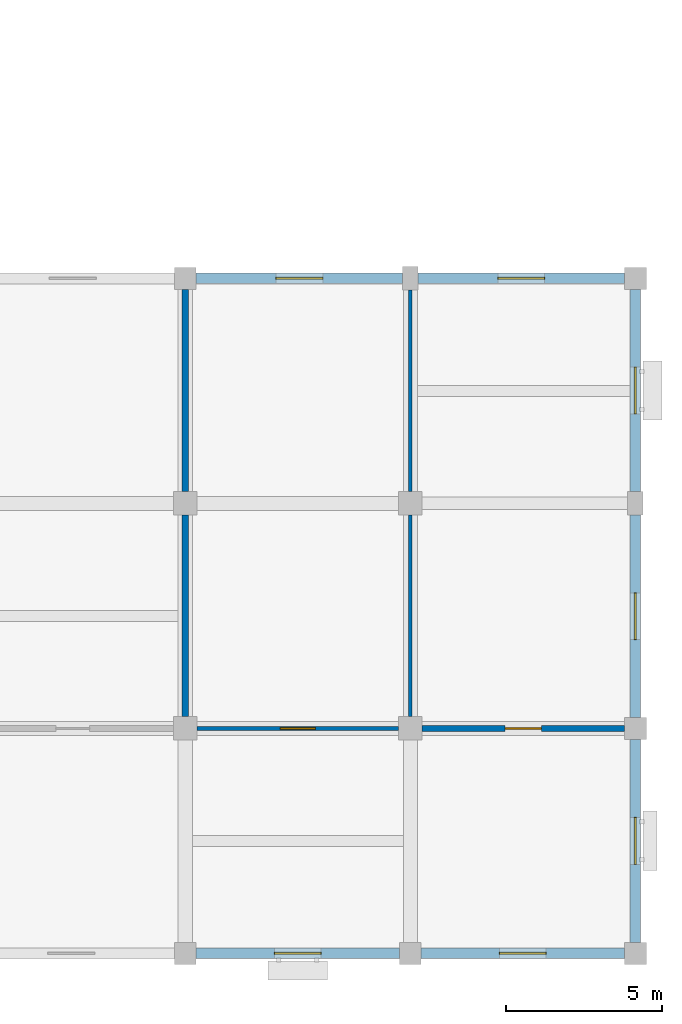
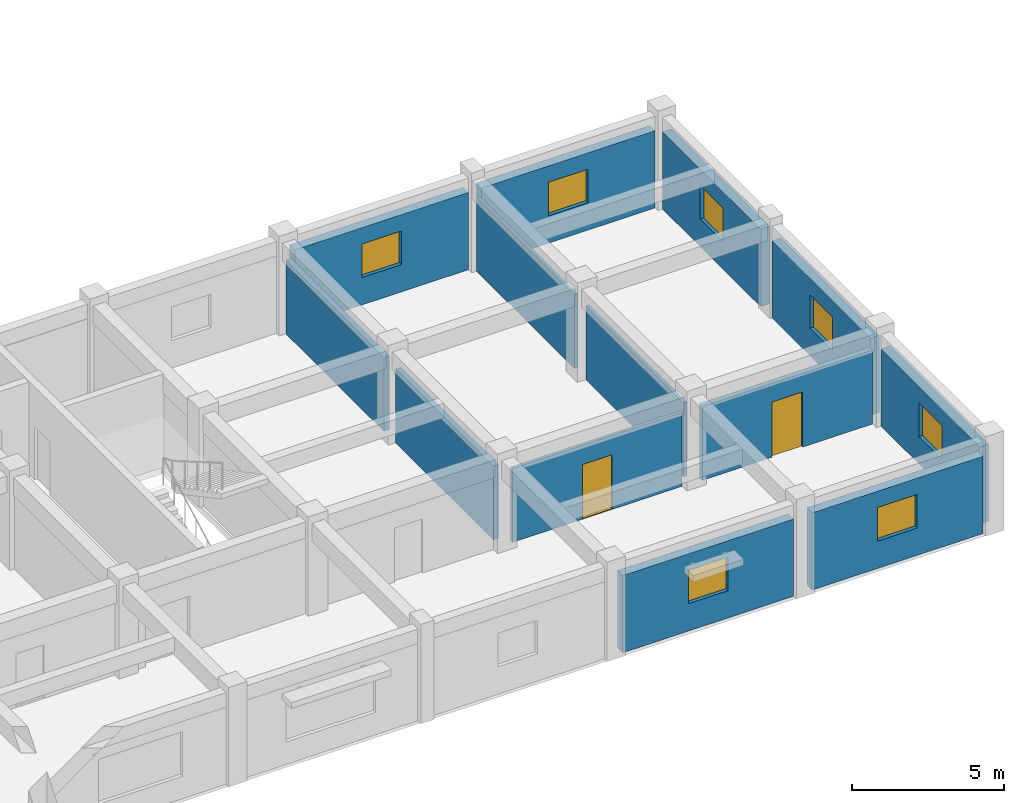
# One storey, part 18 of 25: 13 walls, 7 windows, 2 doors, 9 openings.
"""IFC4 building model written with IfcOpenShell, lengths in metres."""

from ifc_helpers import new_model, si_unit, direction, frame, frame_2d, origin, place, context, subcontext, project, spatial, rectangle, extrude, material, layer, layer_set, type_object, element, fill, save


model = new_model("IFC4")

# Units and contexts
model_context = context("Model", 3, precision=1e-05, world=origin(), true_north=direction((0.0, 1.0)))
body_context = subcontext(model_context, "Body", "Model", "MODEL_VIEW")
ifc_project = project(units=[si_unit("LENGTHUNIT", "METRE"), si_unit("AREAUNIT", "SQUARE_METRE"), si_unit("VOLUMEUNIT", "CUBIC_METRE"), si_unit("PLANEANGLEUNIT", "RADIAN"), si_unit("MASSUNIT", "GRAM", prefix="KILO")], contexts=[model_context])

# Site, building, storey
site_placement = place(None, origin())
site = spatial("IfcSite", under=ifc_project, at=site_placement, CompositionType="ELEMENT")
building_placement = place(site_placement, origin())
building = spatial("IfcBuilding", under=site, at=building_placement, Name="Cendaluz Park School", CompositionType="ELEMENT")
storey_placement = place(building_placement, frame((0.0, 0.0, 18.60009765625)))
storey = spatial("IfcBuildingStorey", under=building, at=storey_placement, Name="L04", CompositionType="ELEMENT", Elevation=18.60009765625)

# Walls
ifc_material_1 = material(Name="Gypsum Plasterboard on Cold-Formed Stud", Category="gypsum")
ifc_layer_1 = layer(ifc_material_1, 0.199951171875)
ifc_layer_set_1 = layer_set([ifc_layer_1], Name="Gypsum Plasterboard on Cold-Formed Stud")
wall_type_1 = type_object("IfcWallType", Name="W-AC20", PredefinedType="PARTITIONING", material=ifc_layer_set_1)
wall_1_placement = place(storey_placement, frame((144.0, 14.77490234375, 0.0), z_axis=(0.0, 0.0, 1.0), x_axis=(0.0, 1.0, 0.0)))
element("IfcWall", 1, at=wall_1_placement, inside=storey, type_object=wall_type_1, Name="WL-FE-BO6", PredefinedType="PARTITIONING", context=body_context, shape_type="SweptSolid", body=[
    extrude(rectangle(XDim=6.4501953125, YDim=0.199951171875, at=frame_2d((3.22509765625, 0.0))), origin(), (0.0, 0.0, 1.0), 2.969970703125),
])
wall_2_placement = place(storey_placement, frame((144.0, 21.97509765625, 0.0), z_axis=(0.0, 0.0, 1.0), x_axis=(0.0, 1.0, 0.0)))
element("IfcWall", 2, at=wall_2_placement, inside=storey, type_object=wall_type_1, Name="WL-FE-BO7", PredefinedType="PARTITIONING", context=body_context, shape_type="SweptSolid", body=[
    extrude(rectangle(XDim=6.474853515625, YDim=0.199951171875, at=frame_2d((3.2373046875, 0.0))), origin(), (0.0, 0.0, 1.0), 2.969970703125),
])

# Wall, opening, door
wall_3_placement = place(storey_placement, frame((151.574951171875, 14.39990234375, 0.0), z_axis=(0.0, 0.0, 1.0), x_axis=(1.0, 0.0, 0.0)))
wall_3 = element("IfcWall", 3, at=wall_3_placement, inside=storey, type_object=wall_type_1, Name="WL-FE-BP1", PredefinedType="PARTITIONING", context=body_context, shape_type="SweptSolid", body=[
    extrude(rectangle(XDim=6.47509765625, YDim=0.199951171875, at=frame_2d((3.237548828125, 0.0))), origin(), (0.0, 0.0, 1.0), 2.969970703125),
])
opening_1_placement = place(wall_3_placement, frame((2.657470703125, 0.0, 0.0)))
opening_1 = element("IfcOpeningElement", 4, at=opening_1_placement, cuts=wall_3, Name="Opening DCL-07", PredefinedType="OPENING", context=body_context, shape_type="SweptSolid", body=[
    extrude(rectangle(XDim=1.159912109375, YDim=2.219970703125, at=frame_2d((0.580078125, 1.10986328125))), frame((0.0, 0.112060546875, 0.0), z_axis=(0.0, -1.0, 0.0), x_axis=(1.0, 0.0, 0.0)), (0.0, 0.0, 1.0), 0.223876953125),
])
ifc_material_2 = material(Name="Solid Core Hardwood", Category="wood")
door_type_1 = type_object("IfcDoorType", Name="DCL-07", OperationType="NOTDEFINED", PredefinedType="DOOR", material=ifc_material_2)
door_1_placement = place(opening_1_placement, origin())
door_1 = element("IfcDoor", 5, at=door_1_placement, inside=storey, type_object=door_type_1, Name="D-L04-038", OperationType="SINGLE_SWING_RIGHT", OverallHeight=2.219970703125, OverallWidth=1.159912109375, PredefinedType="DOOR", context=body_context, shape_type="SweptSolid", body=[
    extrude(rectangle(XDim=1.159912109375, YDim=2.219970703125, at=frame_2d((0.580078125, 1.10986328125))), frame((0.0, 0.02490234375, 0.0), z_axis=(0.0, -1.0, 0.0), x_axis=(1.0, 0.0, 0.0)), (0.0, 0.0, 1.0), 0.050048828125),
])
fill(opening_1, door_1)

# Wall, opening, window
ifc_material_3 = material(Name="Concrete C40/50 precast", Category="concrete")
ifc_layer_2 = layer(ifc_material_3, 0.340087890625)
ifc_layer_set_2 = layer_set([ifc_layer_2], Name="Concrete C40/50 precast")
wall_type_2 = type_object("IfcWallType", Name="W-EX34", PredefinedType="SOLIDWALL", material=ifc_layer_set_2)
wall_4_placement = place(storey_placement, frame((144.35009765625, 7.199951171875, 0.0), z_axis=(0.0, 0.0, 1.0), x_axis=(1.0, 0.0, 0.0)))
wall_4 = element("IfcWall", 6, at=wall_4_placement, inside=storey, type_object=wall_type_2, Name="WL-FE-AC3", PredefinedType="SOLIDWALL", context=body_context, shape_type="SweptSolid", body=[
    extrude(rectangle(XDim=6.5, YDim=0.340087890625, at=frame_2d((3.25, 0.0))), origin(), (0.0, 0.0, 1.0), 3.10986328125),
])
opening_2_placement = place(wall_4_placement, frame((2.5, 0.0, 1.10009765625)))
opening_2 = element("IfcOpeningElement", 7, at=opening_2_placement, cuts=wall_4, Name="Opening WN-20", PredefinedType="OPENING", context=body_context, shape_type="SweptSolid", body=[
    extrude(rectangle(XDim=1.5, YDim=1.35009765625, at=frame_2d((0.75, 0.675048828125))), frame((0.0, 0.18212890625, 0.0), z_axis=(0.0, -1.0, 0.0), x_axis=(1.0, 0.0, 0.0)), (0.0, 0.0, 1.0), 0.364013671875),
])
ifc_material_4 = material(Name="Tempered Low-E Double Glazing", Category="glass")
window_type = type_object("IfcWindowType", Name="WN-20", PartitioningType="SINGLE_PANEL", PredefinedType="WINDOW", material=ifc_material_4)
window_1_placement = place(opening_2_placement, origin())
window_1 = element("IfcWindow", 8, at=window_1_placement, inside=storey, type_object=window_type, Name="WN-L04-024", OverallHeight=1.35009765625, OverallWidth=1.5, PartitioningType="SINGLE_PANEL", PredefinedType="WINDOW", context=body_context, shape_type="SweptSolid", body=[
    extrude(rectangle(XDim=1.5, YDim=1.35009765625, at=frame_2d((0.75, 0.675048828125))), frame((0.0, 0.030029296875, 0.0), z_axis=(0.0, -1.0, 0.0), x_axis=(1.0, 0.0, 0.0)), (0.0, 0.0, 1.0), 0.06005859375),
])
fill(opening_2, window_1)

wall_5_placement = place(storey_placement, frame((144.35009765625, 28.800048828125, 0.0), z_axis=(0.0, 0.0, 1.0), x_axis=(1.0, 0.0, 0.0)))
wall_5 = element("IfcWall", 9, at=wall_5_placement, inside=storey, type_object=wall_type_2, Name="WL-FE-AC4", PredefinedType="SOLIDWALL", context=body_context, shape_type="SweptSolid", body=[
    extrude(rectangle(XDim=6.599853515625, YDim=0.340087890625, at=frame_2d((3.2998046875, 0.0))), origin(), (0.0, 0.0, 1.0), 3.10986328125),
])
opening_3_placement = place(wall_5_placement, frame((2.550048828125, 0.0, 1.10009765625)))
opening_3 = element("IfcOpeningElement", 10, at=opening_3_placement, cuts=wall_5, Name="Opening WN-20", PredefinedType="OPENING", context=body_context, shape_type="SweptSolid", body=[
    extrude(rectangle(XDim=1.5, YDim=1.35009765625, at=frame_2d((0.75, 0.675048828125))), frame((0.0, 0.18212890625, 0.0), z_axis=(0.0, -1.0, 0.0), x_axis=(1.0, 0.0, 0.0)), (0.0, 0.0, 1.0), 0.364013671875),
])
window_2_placement = place(opening_3_placement, origin())
window_2 = element("IfcWindow", 11, at=window_2_placement, inside=storey, type_object=window_type, Name="WN-L04-025", OverallHeight=1.35009765625, OverallWidth=1.5, PartitioningType="SINGLE_PANEL", PredefinedType="WINDOW", context=body_context, shape_type="SweptSolid", body=[
    extrude(rectangle(XDim=1.5, YDim=1.35009765625, at=frame_2d((0.75, 0.675048828125))), frame((0.0, 0.030029296875, 0.0), z_axis=(0.0, -1.0, 0.0), x_axis=(1.0, 0.0, 0.0)), (0.0, 0.0, 1.0), 0.06005859375),
])
fill(opening_3, window_2)

wall_6_placement = place(storey_placement, frame((151.550048828125, 7.199951171875, 0.0), z_axis=(0.0, 0.0, 1.0), x_axis=(1.0, 0.0, 0.0)))
wall_6 = element("IfcWall", 12, at=wall_6_placement, inside=storey, type_object=wall_type_2, Name="WL-FE-AC5", PredefinedType="SOLIDWALL", context=body_context, shape_type="SweptSolid", body=[
    extrude(rectangle(XDim=6.5, YDim=0.340087890625, at=frame_2d((3.25, 0.0))), origin(), (0.0, 0.0, 1.0), 3.10986328125),
])
opening_4_placement = place(wall_6_placement, frame((2.5, 0.0, 1.10009765625)))
opening_4 = element("IfcOpeningElement", 13, at=opening_4_placement, cuts=wall_6, Name="Opening WN-20", PredefinedType="OPENING", context=body_context, shape_type="SweptSolid", body=[
    extrude(rectangle(XDim=1.5, YDim=1.35009765625, at=frame_2d((0.75, 0.675048828125))), frame((0.0, 0.18212890625, 0.0), z_axis=(0.0, -1.0, 0.0), x_axis=(1.0, 0.0, 0.0)), (0.0, 0.0, 1.0), 0.364013671875),
])
window_3_placement = place(opening_4_placement, origin())
window_3 = element("IfcWindow", 14, at=window_3_placement, inside=storey, type_object=window_type, Name="WN-L04-026", OverallHeight=1.35009765625, OverallWidth=1.5, PartitioningType="SINGLE_PANEL", PredefinedType="WINDOW", context=body_context, shape_type="SweptSolid", body=[
    extrude(rectangle(XDim=1.5, YDim=1.35009765625, at=frame_2d((0.75, 0.675048828125))), frame((0.0, 0.030029296875, 0.0), z_axis=(0.0, -1.0, 0.0), x_axis=(1.0, 0.0, 0.0)), (0.0, 0.0, 1.0), 0.06005859375),
])
fill(opening_4, window_3)

wall_7_placement = place(storey_placement, frame((158.39990234375, 7.550048828125, 0.0), z_axis=(0.0, 0.0, 1.0), x_axis=(0.0, 1.0, 0.0)))
wall_7 = element("IfcWall", 15, at=wall_7_placement, inside=storey, type_object=wall_type_2, Name="WL-FE-AC6", PredefinedType="SOLIDWALL", context=body_context, shape_type="SweptSolid", body=[
    extrude(rectangle(XDim=6.5, YDim=0.340087890625, at=frame_2d((3.25, 0.0))), origin(), (0.0, 0.0, 1.0), 3.10986328125),
])
opening_5_placement = place(wall_7_placement, frame((2.5, 0.0, 1.10009765625)))
opening_5 = element("IfcOpeningElement", 16, at=opening_5_placement, cuts=wall_7, Name="Opening WN-20", PredefinedType="OPENING", context=body_context, shape_type="SweptSolid", body=[
    extrude(rectangle(XDim=1.5, YDim=1.35009765625, at=frame_2d((0.75, 0.675048828125))), frame((0.0, 0.18212890625, 0.0), z_axis=(0.0, -1.0, 0.0), x_axis=(1.0, 0.0, 0.0)), (0.0, 0.0, 1.0), 0.364013671875),
])
window_4_placement = place(opening_5_placement, origin())
window_4 = element("IfcWindow", 17, at=window_4_placement, inside=storey, type_object=window_type, Name="WN-L04-027", OverallHeight=1.35009765625, OverallWidth=1.5, PartitioningType="SINGLE_PANEL", PredefinedType="WINDOW", context=body_context, shape_type="SweptSolid", body=[
    extrude(rectangle(XDim=1.5, YDim=1.35009765625, at=frame_2d((0.75, 0.675048828125))), frame((0.0, 0.030029296875, 0.0), z_axis=(0.0, -1.0, 0.0), x_axis=(1.0, 0.0, 0.0)), (0.0, 0.0, 1.0), 0.06005859375),
])
fill(opening_5, window_4)

wall_8_placement = place(storey_placement, frame((158.39990234375, 14.75, 0.0), z_axis=(0.0, 0.0, 1.0), x_axis=(0.0, 1.0, 0.0)))
wall_8 = element("IfcWall", 18, at=wall_8_placement, inside=storey, type_object=wall_type_2, Name="WL-FE-AC7", PredefinedType="SOLIDWALL", context=body_context, shape_type="SweptSolid", body=[
    extrude(rectangle(XDim=6.47509765625, YDim=0.340087890625, at=frame_2d((3.237548828125, 0.0))), origin(), (0.0, 0.0, 1.0), 3.10986328125),
])
opening_6_placement = place(wall_8_placement, frame((2.487548828125, 0.0, 1.10009765625)))
opening_6 = element("IfcOpeningElement", 19, at=opening_6_placement, cuts=wall_8, Name="Opening WN-20", PredefinedType="OPENING", context=body_context, shape_type="SweptSolid", body=[
    extrude(rectangle(XDim=1.5, YDim=1.35009765625, at=frame_2d((0.75, 0.675048828125))), frame((0.0, 0.18212890625, 0.0), z_axis=(0.0, -1.0, 0.0), x_axis=(1.0, 0.0, 0.0)), (0.0, 0.0, 1.0), 0.364013671875),
])
window_5_placement = place(opening_6_placement, origin())
window_5 = element("IfcWindow", 20, at=window_5_placement, inside=storey, type_object=window_type, Name="WN-L04-028", OverallHeight=1.35009765625, OverallWidth=1.5, PartitioningType="SINGLE_PANEL", PredefinedType="WINDOW", context=body_context, shape_type="SweptSolid", body=[
    extrude(rectangle(XDim=1.5, YDim=1.35009765625, at=frame_2d((0.75, 0.675048828125))), frame((0.0, 0.030029296875, 0.0), z_axis=(0.0, -1.0, 0.0), x_axis=(1.0, 0.0, 0.0)), (0.0, 0.0, 1.0), 0.06005859375),
])
fill(opening_6, window_5)

wall_9_placement = place(storey_placement, frame((151.449951171875, 28.800048828125, 0.0), z_axis=(0.0, 0.0, 1.0), x_axis=(1.0, 0.0, 0.0)))
wall_9 = element("IfcWall", 21, at=wall_9_placement, inside=storey, type_object=wall_type_2, Name="WL-FE-AC8", PredefinedType="SOLIDWALL", context=body_context, shape_type="SweptSolid", body=[
    extrude(rectangle(XDim=6.60009765625, YDim=0.340087890625, at=frame_2d((3.300048828125, 0.0))), origin(), (0.0, 0.0, 1.0), 3.10986328125),
])
opening_7_placement = place(wall_9_placement, frame((2.550048828125, 0.0, 1.10009765625)))
opening_7 = element("IfcOpeningElement", 22, at=opening_7_placement, cuts=wall_9, Name="Opening WN-20", PredefinedType="OPENING", context=body_context, shape_type="SweptSolid", body=[
    extrude(rectangle(XDim=1.5, YDim=1.35009765625, at=frame_2d((0.75, 0.675048828125))), frame((0.0, 0.18212890625, 0.0), z_axis=(0.0, -1.0, 0.0), x_axis=(1.0, 0.0, 0.0)), (0.0, 0.0, 1.0), 0.364013671875),
])
window_6_placement = place(opening_7_placement, origin())
window_6 = element("IfcWindow", 23, at=window_6_placement, inside=storey, type_object=window_type, Name="WN-L04-029", OverallHeight=1.35009765625, OverallWidth=1.5, PartitioningType="SINGLE_PANEL", PredefinedType="WINDOW", context=body_context, shape_type="SweptSolid", body=[
    extrude(rectangle(XDim=1.5, YDim=1.35009765625, at=frame_2d((0.75, 0.675048828125))), frame((0.0, 0.030029296875, 0.0), z_axis=(0.0, -1.0, 0.0), x_axis=(1.0, 0.0, 0.0)), (0.0, 0.0, 1.0), 0.06005859375),
])
fill(opening_7, window_6)

wall_10_placement = place(storey_placement, frame((158.39990234375, 21.97509765625, 0.0), z_axis=(0.0, 0.0, 1.0), x_axis=(0.0, 1.0, 0.0)))
wall_10 = element("IfcWall", 24, at=wall_10_placement, inside=storey, type_object=wall_type_2, Name="WL-FE-AC9", PredefinedType="SOLIDWALL", context=body_context, shape_type="SweptSolid", body=[
    extrude(rectangle(XDim=6.474853515625, YDim=0.340087890625, at=frame_2d((3.2373046875, 0.0))), origin(), (0.0, 0.0, 1.0), 3.10986328125),
])
opening_8_placement = place(wall_10_placement, frame((2.487548828125, 0.0, 1.10009765625)))
opening_8 = element("IfcOpeningElement", 25, at=opening_8_placement, cuts=wall_10, Name="Opening WN-20", PredefinedType="OPENING", context=body_context, shape_type="SweptSolid", body=[
    extrude(rectangle(XDim=1.5, YDim=1.35009765625, at=frame_2d((0.75, 0.675048828125))), frame((0.0, 0.18212890625, 0.0), z_axis=(0.0, -1.0, 0.0), x_axis=(1.0, 0.0, 0.0)), (0.0, 0.0, 1.0), 0.364013671875),
])
window_7_placement = place(opening_8_placement, origin())
window_7 = element("IfcWindow", 26, at=window_7_placement, inside=storey, type_object=window_type, Name="WN-L04-030", OverallHeight=1.35009765625, OverallWidth=1.5, PartitioningType="SINGLE_PANEL", PredefinedType="WINDOW", context=body_context, shape_type="SweptSolid", body=[
    extrude(rectangle(XDim=1.5, YDim=1.35009765625, at=frame_2d((0.75, 0.675048828125))), frame((0.0, 0.030029296875, 0.0), z_axis=(0.0, -1.0, 0.0), x_axis=(1.0, 0.0, 0.0)), (0.0, 0.0, 1.0), 0.06005859375),
])
fill(opening_8, window_7)

# Wall, opening, door
ifc_layer_3 = layer(ifc_material_1, 0.1201171875)
ifc_layer_set_3 = layer_set([ifc_layer_3], Name="Gypsum Plasterboard on Cold-Formed Stud")
wall_type_3 = type_object("IfcWallType", Name="W-MV12", PredefinedType="MOVABLE", material=ifc_layer_set_3)
wall_11_placement = place(storey_placement, frame((144.375, 14.39990234375, 0.0), z_axis=(0.0, 0.0, 1.0), x_axis=(1.0, 0.0, 0.0)))
wall_11 = element("IfcWall", 27, at=wall_11_placement, inside=storey, type_object=wall_type_3, Name="WL-FE-BO8", PredefinedType="MOVABLE", context=body_context, shape_type="SweptSolid", body=[
    extrude(rectangle(XDim=6.449951171875, YDim=0.1201171875, at=frame_2d((3.22509765625, 0.0))), origin(), (0.0, 0.0, 1.0), 2.969970703125),
])
opening_9_placement = place(wall_11_placement, frame((2.6650390625, 0.0, 0.0)))
opening_9 = element("IfcOpeningElement", 28, at=opening_9_placement, cuts=wall_11, Name="Opening DCL-06", PredefinedType="OPENING", context=body_context, shape_type="SweptSolid", body=[
    extrude(rectangle(XDim=1.1201171875, YDim=2.199951171875, at=frame_2d((0.56005859375, 1.10009765625))), frame((0.0, 0.072021484375, 0.0), z_axis=(0.0, -1.0, 0.0), x_axis=(1.0, 0.0, 0.0)), (0.0, 0.0, 1.0), 0.14404296875),
])
door_type_2 = type_object("IfcDoorType", Name="DCL-06", OperationType="NOTDEFINED", PredefinedType="DOOR", material=ifc_material_2)
door_2_placement = place(opening_9_placement, origin())
door_2 = element("IfcDoor", 29, at=door_2_placement, inside=storey, type_object=door_type_2, Name="D-L04-037", OperationType="SINGLE_SWING_LEFT", OverallHeight=2.199951171875, OverallWidth=1.1201171875, PredefinedType="DOOR", context=body_context, shape_type="SweptSolid", body=[
    extrude(rectangle(XDim=1.1201171875, YDim=2.199951171875, at=frame_2d((0.56005859375, 1.10009765625))), frame((0.0, 0.02490234375, 0.0), z_axis=(0.0, -1.0, 0.0), x_axis=(1.0, 0.0, 0.0)), (0.0, 0.0, 1.0), 0.050048828125),
])
fill(opening_9, door_2)

# Walls
wall_12_placement = place(storey_placement, frame((151.199951171875, 14.77490234375, 0.0), z_axis=(0.0, 0.0, 1.0), x_axis=(0.0, 1.0, 0.0)))
element("IfcWall", 30, at=wall_12_placement, inside=storey, type_object=wall_type_3, Name="WL-FE-BO9", PredefinedType="MOVABLE", context=body_context, shape_type="SweptSolid", body=[
    extrude(rectangle(XDim=6.4501953125, YDim=0.1201171875, at=frame_2d((3.22509765625, 0.0))), origin(), (0.0, 0.0, 1.0), 2.969970703125),
])
wall_13_placement = place(storey_placement, frame((151.199951171875, 21.97509765625, 0.0), z_axis=(0.0, 0.0, 1.0), x_axis=(0.0, 1.0, 0.0)))
element("IfcWall", 31, at=wall_13_placement, inside=storey, type_object=wall_type_3, Name="WL-FE-BP0", PredefinedType="MOVABLE", context=body_context, shape_type="SweptSolid", body=[
    extrude(rectangle(XDim=6.449951171875, YDim=0.1201171875, at=frame_2d((3.22509765625, 0.0))), origin(), (0.0, 0.0, 1.0), 2.969970703125),
])

save(model, "model.ifc")
